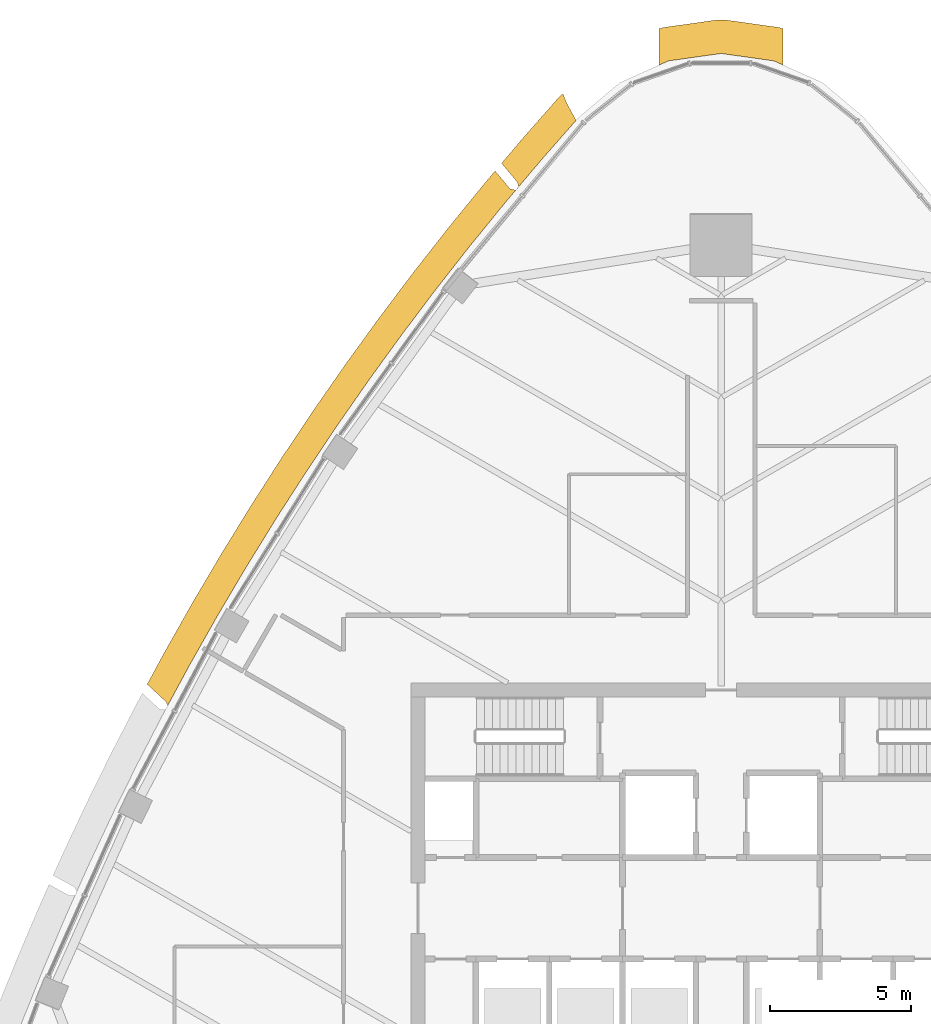
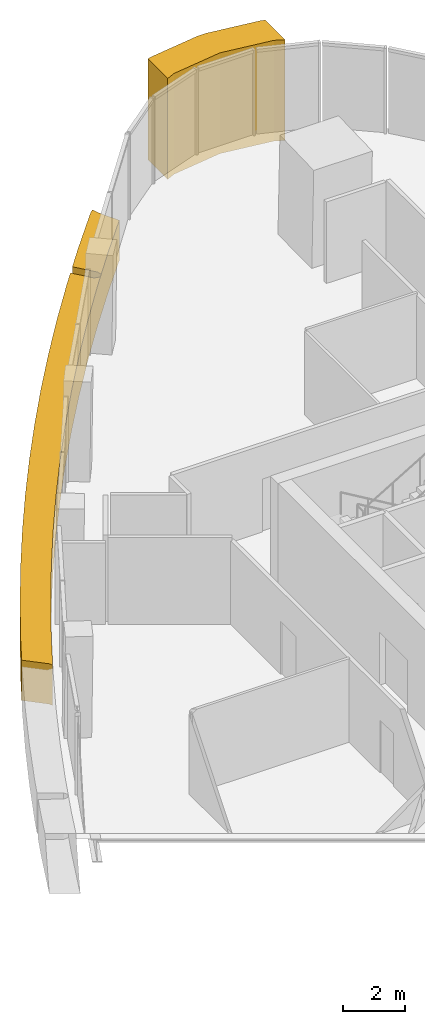
# One storey, part 14 of 15: 2 coverings.
"""IFC4 building model written with IfcOpenShell, lengths in metres."""

from ifc_helpers import new_model, si_unit, direction, frame, origin, place, context, subcontext, project, spatial, polyline, outline, extrude, material, layer, layer_set, type_object, element, save


model = new_model("IFC4")

# Units and contexts
model_context = context("Model", 3, precision=1e-05, world=origin(), true_north=direction((0.0, 1.0)))
body_context = subcontext(model_context, "Body", "Model", "MODEL_VIEW")
ifc_project = project(units=[si_unit("LENGTHUNIT", "METRE"), si_unit("AREAUNIT", "SQUARE_METRE"), si_unit("VOLUMEUNIT", "CUBIC_METRE"), si_unit("PLANEANGLEUNIT", "RADIAN"), si_unit("MASSUNIT", "GRAM", prefix="KILO")], contexts=[model_context])

# Site, building, storey
site_placement = place(None, origin())
site = spatial("IfcSite", under=ifc_project, at=site_placement, CompositionType="ELEMENT")
building_placement = place(site_placement, origin())
building = spatial("IfcBuilding", under=site, at=building_placement, Name="Sierra Prisma Convention Tower", CompositionType="ELEMENT")
storey_placement = place(building_placement, frame((0.0, 0.0, 299.0)))
storey = spatial("IfcBuildingStorey", under=building, at=storey_placement, Name="L68", CompositionType="ELEMENT", Elevation=299.0)

# Coverings
ifc_material_1 = material(Name="Aluminium composite bronze anodised", Category="aluminium")
ifc_layer_1 = layer(ifc_material_1, 1.199951171875)
ifc_layer_set_1 = layer_set([ifc_layer_1], Name="Bronze corner pier")
covering_type_1 = type_object("IfcCoveringType", Name="Bronze corner pier", PredefinedType="CLADDING", material=ifc_layer_set_1)
covering_1_placement = place(storey_placement, frame((0.0, 0.0, -0.60009765625)))
element("IfcCovering", 1, at=covering_1_placement, inside=storey, type_object=covering_type_1, Name="Corner pier N L68.1", PredefinedType="CLADDING", context=body_context, shape_type="SweptSolid", body=[
    extrude(outline(polyline([(1.872314453125, 30.0634765625), (0.0, 30.327392578125), (-1.872314453125, 30.0634765625), (-2.199951171875, 29.9169921875), (-2.199951171875, 31.20556640625), (-2.039794921875, 31.251708984375), (-0.16748046875, 31.515625), (0.16748046875, 31.515625), (2.039794921875, 31.251708984375), (2.199951171875, 31.20556640625), (2.199951171875, 29.9169921875), (1.872314453125, 30.0634765625)])), origin(), (0.0, 0.0, 1.0), 4.0),
])
ifc_material_2 = material(Name="Aluminium composite bronze anodised", Category="aluminium")
ifc_layer_2 = layer(ifc_material_2, 1.0)
ifc_layer_set_2 = layer_set([ifc_layer_2], Name="Bronze spandrel band")
covering_type_2 = type_object("IfcCoveringType", Name="Bronze spandrel band", PredefinedType="CLADDING", material=ifc_layer_set_2)
covering_2_placement = place(storey_placement, frame((0.0, 0.0, -1.60009765625)))
element("IfcCovering", 2, at=covering_2_placement, inside=storey, type_object=covering_type_2, Name="Spandrel band L68.4", PredefinedType="CLADDING", context=body_context, shape_type="SweptSolid", body=[
    extrude(outline(polyline([(-15.6015625, 15.96923828125), (-15.59130859375, 15.985107421875), (-14.482177734375, 17.6435546875), (-14.4716796875, 17.658935546875), (-13.331787109375, 19.29638671875), (-13.32080078125, 19.311767578125), (-12.150390625, 20.92724609375), (-12.13916015625, 20.9423828125), (-10.9384765625, 22.535888671875), (-10.927001953125, 22.55078125), (-9.69677734375, 24.12109375), (-9.68505859375, 24.135986328125), (-8.42529296875, 25.68310546875), (-8.413330078125, 25.697509765625), (-8.02099609375, 26.1611328125), (-7.505615234375, 25.540283203125), (-7.50244140625, 25.537109375), (-7.4990234375, 25.533935546875), (-7.495361328125, 25.531005859375), (-7.491455078125, 25.528564453125), (-7.4873046875, 25.526611328125), (-7.48291015625, 25.52490234375), (-7.478515625, 25.523681640625), (-7.322998046875, 25.48779296875), (-7.318115234375, 25.48681640625), (-7.313232421875, 25.486572265625), (-7.30810546875, 25.486572265625), (-7.30322265625, 25.4873046875), (-7.29833984375, 25.48828125), (-7.293701171875, 25.489990234375), (-7.2890625, 25.491943359375), (-7.284912109375, 25.494384765625), (-7.28076171875, 25.497314453125), (-7.277099609375, 25.50048828125), (-7.273681640625, 25.504150390625), (-7.208984375, 25.580322265625), (-7.205810546875, 25.58447265625), (-7.203125, 25.5888671875), (-7.200927734375, 25.593505859375), (-7.19921875, 25.598388671875), (-7.197998046875, 25.603515625), (-7.197265625, 25.608642578125), (-7.197021484375, 25.61376953125), (-7.197509765625, 25.618896484375), (-7.198486328125, 25.6240234375), (-7.22607421875, 25.743408203125), (-7.227294921875, 25.747802734375), (-7.22900390625, 25.752197265625), (-7.231201171875, 25.75634765625), (-7.2333984375, 25.76025390625), (-7.236328125, 25.763916015625), (-7.79150390625, 26.4326171875), (-7.124755859375, 27.220703125), (-7.112548828125, 27.23486328125), (-5.795654296875, 28.7333984375), (-5.68896484375, 28.837890625), (-5.612060546875, 28.90283203125), (-5.611328125, 28.900146484375), (-5.526123046875, 28.6708984375), (-5.419189453125, 28.45068359375), (-5.148193359375, 27.955322265625), (-6.361328125, 26.57470703125), (-7.64990234375, 25.051513671875), (-8.909423828125, 23.50439453125), (-10.139892578125, 21.93408203125), (-11.340576171875, 20.340576171875), (-12.510986328125, 18.72509765625), (-13.65087890625, 17.087646484375), (-14.760009765625, 15.42919921875), (-15.83740234375, 13.750244140625), (-16.88330078125, 12.05126953125), (-17.89697265625, 10.3330078125), (-18.87841796875, 8.595703125), (-19.639404296875, 7.187255859375), (-19.639404296875, 7.189453125), (-19.6396484375, 7.1943359375), (-19.640380859375, 7.19921875), (-19.6416015625, 7.2041015625), (-19.643310546875, 7.208740234375), (-19.6875, 7.312255859375), (-19.68994140625, 7.31689453125), (-19.692626953125, 7.3212890625), (-19.69580078125, 7.325439453125), (-19.699462890625, 7.3291015625), (-20.36474609375, 7.9482421875), (-19.758056640625, 9.0712890625), (-19.7490234375, 9.087646484375), (-18.767578125, 10.82470703125), (-18.75830078125, 10.841064453125), (-17.74462890625, 12.559326171875), (-17.73486328125, 12.575439453125), (-16.689208984375, 14.2744140625), (-16.67919921875, 14.290283203125), (-15.6015625, 15.96923828125)])), origin(), (0.0, 0.0, 1.0), 1.60009765625),
])

save(model, "model.ifc")
